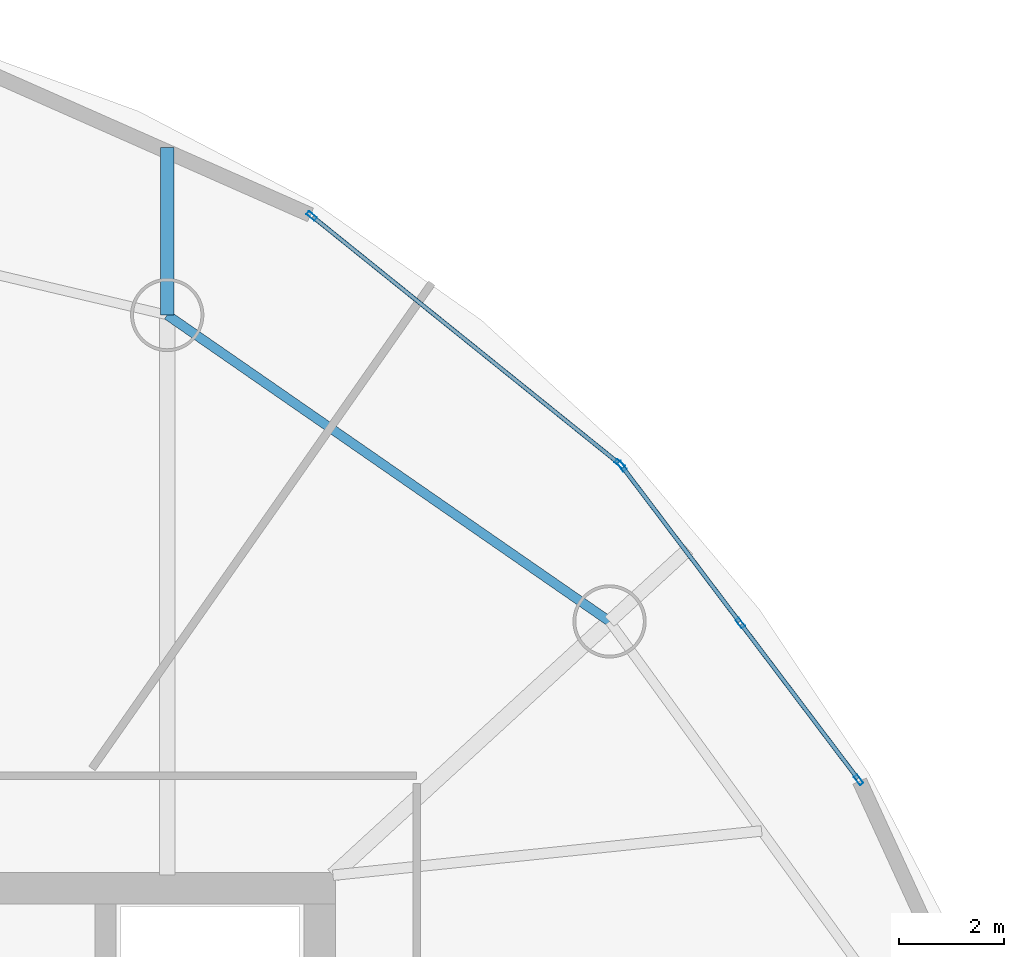
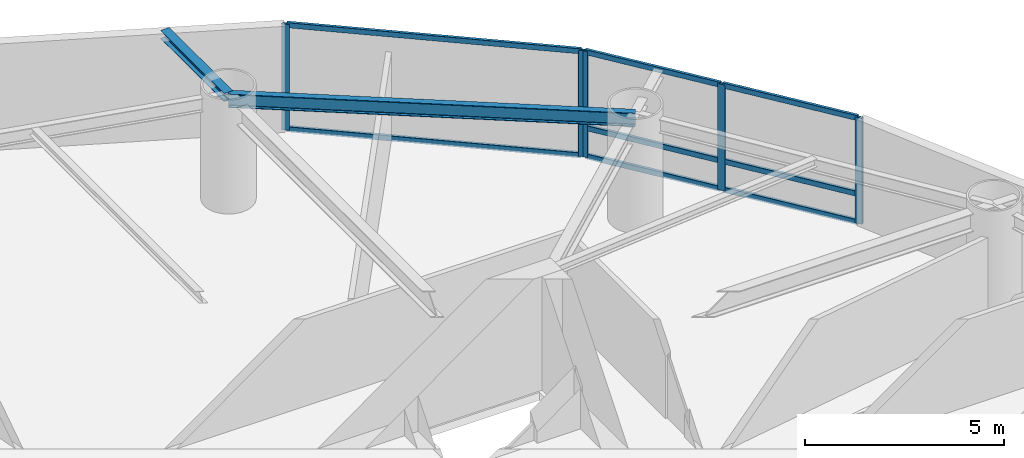
# One storey, part 13 of 20: 13 members, 2 beams, 2 elements without a shape of their own.
"""IFC4 building model written with IfcOpenShell, lengths in metres."""

from ifc_helpers import new_model, si_unit, direction, frame, origin, origin_2d, place, context, subcontext, project, spatial, hollow_rectangle, i_section, extrude, material, layer, layer_set, material_profile, profile_set, type_object, element, aggregate, save


model = new_model("IFC4")

# Units and contexts
model_context = context("Model", 3, precision=1e-05, world=origin(), true_north=direction((0.0, 1.0)))
body_context = subcontext(model_context, "Body", "Model", "MODEL_VIEW")
ifc_project = project(units=[si_unit("LENGTHUNIT", "METRE"), si_unit("AREAUNIT", "SQUARE_METRE"), si_unit("VOLUMEUNIT", "CUBIC_METRE"), si_unit("PLANEANGLEUNIT", "RADIAN"), si_unit("MASSUNIT", "GRAM", prefix="KILO")], contexts=[model_context])

# Site, building, storey
site_placement = place(None, origin())
site = spatial("IfcSite", under=ifc_project, at=site_placement, CompositionType="ELEMENT")
building_placement = place(site_placement, origin())
building = spatial("IfcBuilding", under=site, at=building_placement, Name="Bramvorn Convention Spire", CompositionType="ELEMENT")
storey_placement = place(building_placement, frame((0.0, 0.0, 155.300048828125)))
storey = spatial("IfcBuildingStorey", under=building, at=storey_placement, Name="L39", CompositionType="ELEMENT", Elevation=155.300048828125)

# Beams
ifc_material_1 = material(Name="Steel CSA G40.21 Grade 350 (350W)", Category="steel")
ifc_material_profile_1 = material_profile(ifc_material_1, i_section(OverallWidth=0.25390625, OverallDepth=0.2529296875, WebThickness=0.008544921875, FlangeThickness=0.01416015625, FilletRadius=0.011962890625, at=origin_2d()))
ifc_profile_set_1 = profile_set([ifc_material_profile_1], Name="Steel CSA G40.21 Grade 350 (350W) - W250X73")
beam_type_1 = type_object("IfcBeamType", Name="BM-W250X73", PredefinedType="BEAM", material=ifc_profile_set_1)
beam_1_placement = place(storey_placement, frame((46.082763671875, 44.154052734375, 3.133544921875), z_axis=(0.0, 1.0, 0.0), x_axis=(-1.0, 0.0, 0.0)))
element("IfcBeam", 1, at=beam_1_placement, inside=storey, type_object=beam_type_1, Name="L39 slab-edge cantilever tip beam MC05", PredefinedType="BEAM", context=body_context, shape_type="SweptSolid", body=[
    extrude(i_section(OverallWidth=0.25390625, OverallDepth=0.2529296875, WebThickness=0.008544921875, FlangeThickness=0.01416015625, FilletRadius=0.011962890625, at=origin_2d()), origin(), (0.0, 0.0, 1.0), 3.199951171875),
])
ifc_material_profile_2 = material_profile(ifc_material_1, i_section(OverallWidth=0.180908203125, OverallDepth=0.4169921875, WebThickness=0.010986328125, FlangeThickness=0.018310546875, FilletRadius=0.01611328125, at=origin_2d()))
ifc_profile_set_2 = profile_set([ifc_material_profile_2], Name="Steel CSA G40.21 Grade 350 (350W) - W410X85")
beam_type_2 = type_object("IfcBeamType", Name="BM-W410X85", PredefinedType="JOIST", material=ifc_profile_set_2)
beam_2_placement = place(storey_placement, frame((54.534912109375, 38.299072265625, 3.051513671875), z_axis=(-0.822033166673, 0.569439613032, 0.0), x_axis=(-0.569439613032, -0.822033166673, 0.0)))
element("IfcBeam", 2, at=beam_2_placement, inside=storey, type_object=beam_type_2, Name="L39 mega-column ring beam 04", PredefinedType="JOIST", context=body_context, shape_type="SweptSolid", body=[
    extrude(i_section(OverallWidth=0.180908203125, OverallDepth=0.4169921875, WebThickness=0.010986328125, FlangeThickness=0.018310546875, FilletRadius=0.01611328125, at=origin_2d()), origin(), (0.0, 0.0, 1.0), 10.281982421875),
])

# Curtain wall, members
ifc_material_2 = material(Name="Anodised Bronze Unitised Curtain Wall", Category="aluminium")
ifc_layer = layer(ifc_material_2, 0.179931640625)
ifc_layer_set = layer_set([ifc_layer], Name="Anodised Bronze Unitised Curtain Wall - CW-HTL-FRIT")
curtain_wall_type = type_object("IfcCurtainWallType", Name="CW-HTL-FRIT", PredefinedType="USERDEFINED", material=ifc_layer_set)
curtain_wall_1_placement = place(storey_placement, origin())
curtain_wall_1 = element("IfcCurtainWall", 3, at=curtain_wall_1_placement, inside=storey, type_object=curtain_wall_type, Name="L39 fritted glass curtain wall 05", ObjectType="UNITISED CURTAIN WALL", PredefinedType="USERDEFINED")
ifc_material_3 = material(Name="Anodised Bronze Aluminium 6063-T6", Category="aluminium")
ifc_material_profile_3 = material_profile(ifc_material_3, hollow_rectangle(XDim=0.080078125, YDim=0.199951171875, WallThickness=0.00390625, InnerFilletRadius=0.0009765625, OuterFilletRadius=0.00390625, at=origin_2d()))
ifc_profile_set_3 = profile_set([ifc_material_profile_3], Name="Anodised Bronze Aluminium 6063-T6 - CWM80X200")
member_type_1 = type_object("IfcMemberType", Name="CW-MUL-180", PredefinedType="MULLION", material=ifc_profile_set_3)
member_1_placement = place(storey_placement, frame((54.770263671875, 41.264892578125, 0.0), z_axis=(0.0, 0.0, 1.0), x_axis=(0.798107879638, 0.602514574479, 0.0)))
member_1 = element("IfcMember", 4, at=member_1_placement, type_object=member_type_1, Name="CW2 mullion 1", PredefinedType="MULLION", context=body_context, shape_type="SweptSolid", body=[
    extrude(hollow_rectangle(XDim=0.080078125, YDim=0.199951171875, WallThickness=0.00390625, InnerFilletRadius=0.0009765625, OuterFilletRadius=0.00390625, at=origin_2d()), origin(), (0.0, 0.0, 1.0), 3.260009765625),
])
member_2_placement = place(storey_placement, frame((57.03271484375, 38.268310546875, 0.0), z_axis=(0.0, 0.0, 1.0), x_axis=(0.798107879638, 0.602514574479, 0.0)))
member_2 = element("IfcMember", 5, at=member_2_placement, type_object=member_type_1, Name="CW2 mullion 2", PredefinedType="MULLION", context=body_context, shape_type="SweptSolid", body=[
    extrude(hollow_rectangle(XDim=0.080078125, YDim=0.199951171875, WallThickness=0.00390625, InnerFilletRadius=0.0009765625, OuterFilletRadius=0.00390625, at=origin_2d()), origin(), (0.0, 0.0, 1.0), 3.260009765625),
])
member_3_placement = place(storey_placement, frame((59.294921875, 35.271728515625, 0.0), z_axis=(0.0, 0.0, 1.0), x_axis=(0.798107879638, 0.602514574479, 0.0)))
member_3 = element("IfcMember", 6, at=member_3_placement, type_object=member_type_1, Name="CW2 mullion 3", PredefinedType="MULLION", context=body_context, shape_type="SweptSolid", body=[
    extrude(hollow_rectangle(XDim=0.080078125, YDim=0.199951171875, WallThickness=0.00390625, InnerFilletRadius=0.0009765625, OuterFilletRadius=0.00390625, at=origin_2d()), origin(), (0.0, 0.0, 1.0), 3.260009765625),
])

curtain_wall_2_placement = place(storey_placement, origin())
curtain_wall_2 = element("IfcCurtainWall", 7, at=curtain_wall_2_placement, inside=storey, type_object=curtain_wall_type, Name="L39 fritted glass curtain wall 06", ObjectType="UNITISED CURTAIN WALL", PredefinedType="USERDEFINED")
member_4_placement = place(storey_placement, frame((48.843017578125, 46.048095703125, 0.0), z_axis=(0.0, 0.0, 1.0), x_axis=(0.627246823594, 0.778820532787, 0.0)))
member_4 = element("IfcMember", 8, at=member_4_placement, type_object=member_type_1, Name="CW2 mullion 1", PredefinedType="MULLION", context=body_context, shape_type="SweptSolid", body=[
    extrude(hollow_rectangle(XDim=0.080078125, YDim=0.199951171875, WallThickness=0.00390625, InnerFilletRadius=0.0009765625, OuterFilletRadius=0.00390625, at=origin_2d()), origin(), (0.0, 0.0, 1.0), 3.260009765625),
])
member_5_placement = place(storey_placement, frame((54.72900390625, 41.3076171875, 0.0), z_axis=(0.0, 0.0, 1.0), x_axis=(0.627246823594, 0.778820532787, 0.0)))
member_5 = element("IfcMember", 9, at=member_5_placement, type_object=member_type_1, Name="CW2 mullion 2", PredefinedType="MULLION", context=body_context, shape_type="SweptSolid", body=[
    extrude(hollow_rectangle(XDim=0.080078125, YDim=0.199951171875, WallThickness=0.00390625, InnerFilletRadius=0.0009765625, OuterFilletRadius=0.00390625, at=origin_2d()), origin(), (0.0, 0.0, 1.0), 3.260009765625),
])

# Member
ifc_material_profile_4 = material_profile(ifc_material_3, hollow_rectangle(XDim=0.080078125, YDim=0.159912109375, WallThickness=0.00390625, InnerFilletRadius=0.0009765625, OuterFilletRadius=0.00390625, at=origin_2d()))
ifc_profile_set_4 = profile_set([ifc_material_profile_4], Name="Anodised Bronze Aluminium 6063-T6 - CWT80X160")
member_type_2 = type_object("IfcMemberType", Name="CW-TRN-150", PredefinedType="USERDEFINED", material=ifc_profile_set_4)
member_6_placement = place(storey_placement, frame((54.788330078125, 41.240966796875, 0.030029296875), z_axis=(0.602513341238, -0.798108810646, 0.0), x_axis=(0.798108810646, 0.602513341238, 0.0)))
member_6 = element("IfcMember", 10, at=member_6_placement, type_object=member_type_2, Name="CW2 transom 1.1", ObjectType="TRANSOM", PredefinedType="USERDEFINED", context=body_context, shape_type="SweptSolid", body=[
    extrude(hollow_rectangle(XDim=0.080078125, YDim=0.159912109375, WallThickness=0.00390625, InnerFilletRadius=0.0009765625, OuterFilletRadius=0.00390625, at=origin_2d()), origin(), (0.0, 0.0, 1.0), 3.694580078125),
])

member_7_placement = place(storey_placement, frame((54.788330078125, 41.240966796875, 0.89990234375), z_axis=(0.602513341238, -0.798108810646, 0.0), x_axis=(0.798108810646, 0.602513341238, 0.0)))
member_7 = element("IfcMember", 11, at=member_7_placement, type_object=member_type_2, Name="CW2 transom 1.2", ObjectType="TRANSOM", PredefinedType="USERDEFINED", context=body_context, shape_type="SweptSolid", body=[
    extrude(hollow_rectangle(XDim=0.080078125, YDim=0.159912109375, WallThickness=0.00390625, InnerFilletRadius=0.0009765625, OuterFilletRadius=0.00390625, at=origin_2d()), origin(), (0.0, 0.0, 1.0), 3.694580078125),
])

member_8_placement = place(storey_placement, frame((54.788330078125, 41.240966796875, 3.22998046875), z_axis=(0.602513341238, -0.798108810646, 0.0), x_axis=(0.798108810646, 0.602513341238, 0.0)))
member_8 = element("IfcMember", 12, at=member_8_placement, type_object=member_type_2, Name="CW2 transom 1.3", ObjectType="TRANSOM", PredefinedType="USERDEFINED", context=body_context, shape_type="SweptSolid", body=[
    extrude(hollow_rectangle(XDim=0.080078125, YDim=0.159912109375, WallThickness=0.00390625, InnerFilletRadius=0.0009765625, OuterFilletRadius=0.00390625, at=origin_2d()), origin(), (0.0, 0.0, 1.0), 3.694580078125),
])

member_9_placement = place(storey_placement, frame((57.05078125, 38.244384765625, 0.030029296875), z_axis=(0.602513341238, -0.798108810646, 0.0), x_axis=(0.798108810646, 0.602513341238, 0.0)))
member_9 = element("IfcMember", 13, at=member_9_placement, type_object=member_type_2, Name="CW2 transom 2.1", ObjectType="TRANSOM", PredefinedType="USERDEFINED", context=body_context, shape_type="SweptSolid", body=[
    extrude(hollow_rectangle(XDim=0.080078125, YDim=0.159912109375, WallThickness=0.00390625, InnerFilletRadius=0.0009765625, OuterFilletRadius=0.00390625, at=origin_2d()), origin(), (0.0, 0.0, 1.0), 3.694580078125),
])

member_10_placement = place(storey_placement, frame((57.05078125, 38.244384765625, 0.89990234375), z_axis=(0.602513341238, -0.798108810646, 0.0), x_axis=(0.798108810646, 0.602513341238, 0.0)))
member_10 = element("IfcMember", 14, at=member_10_placement, type_object=member_type_2, Name="CW2 transom 2.2", ObjectType="TRANSOM", PredefinedType="USERDEFINED", context=body_context, shape_type="SweptSolid", body=[
    extrude(hollow_rectangle(XDim=0.080078125, YDim=0.159912109375, WallThickness=0.00390625, InnerFilletRadius=0.0009765625, OuterFilletRadius=0.00390625, at=origin_2d()), origin(), (0.0, 0.0, 1.0), 3.694580078125),
])

member_11_placement = place(storey_placement, frame((57.05078125, 38.244384765625, 3.22998046875), z_axis=(0.602513341238, -0.798108810646, 0.0), x_axis=(0.798108810646, 0.602513341238, 0.0)))
member_11 = element("IfcMember", 15, at=member_11_placement, type_object=member_type_2, Name="CW2 transom 2.3", ObjectType="TRANSOM", PredefinedType="USERDEFINED", context=body_context, shape_type="SweptSolid", body=[
    extrude(hollow_rectangle(XDim=0.080078125, YDim=0.159912109375, WallThickness=0.00390625, InnerFilletRadius=0.0009765625, OuterFilletRadius=0.00390625, at=origin_2d()), origin(), (0.0, 0.0, 1.0), 3.694580078125),
])

aggregate(curtain_wall_1, [member_1, member_2, member_3, member_6, member_7, member_8, member_9, member_10, member_11])

member_12_placement = place(storey_placement, frame((48.866455078125, 46.029296875, 0.030029296875), z_axis=(0.778809142777, -0.627260965728, 0.0), x_axis=(0.627260965728, 0.778809142777, 0.0)))
member_12 = element("IfcMember", 16, at=member_12_placement, type_object=member_type_2, Name="CW2 transom 1.1", ObjectType="TRANSOM", PredefinedType="USERDEFINED", context=body_context, shape_type="SweptSolid", body=[
    extrude(hollow_rectangle(XDim=0.080078125, YDim=0.159912109375, WallThickness=0.00390625, InnerFilletRadius=0.0009765625, OuterFilletRadius=0.00390625, at=origin_2d()), origin(), (0.0, 0.0, 1.0), 7.49755859375),
])

member_13_placement = place(storey_placement, frame((48.866455078125, 46.029296875, 3.22998046875), z_axis=(0.778809142777, -0.627260965728, 0.0), x_axis=(0.627260965728, 0.778809142777, 0.0)))
member_13 = element("IfcMember", 17, at=member_13_placement, type_object=member_type_2, Name="CW2 transom 1.2", ObjectType="TRANSOM", PredefinedType="USERDEFINED", context=body_context, shape_type="SweptSolid", body=[
    extrude(hollow_rectangle(XDim=0.080078125, YDim=0.159912109375, WallThickness=0.00390625, InnerFilletRadius=0.0009765625, OuterFilletRadius=0.00390625, at=origin_2d()), origin(), (0.0, 0.0, 1.0), 7.49755859375),
])

aggregate(curtain_wall_2, [member_4, member_5, member_12, member_13])

save(model, "model.ifc")
